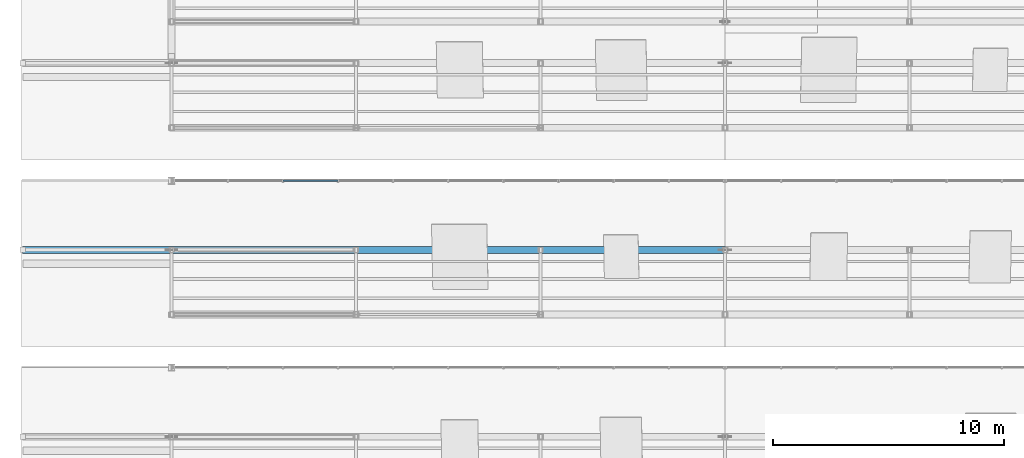
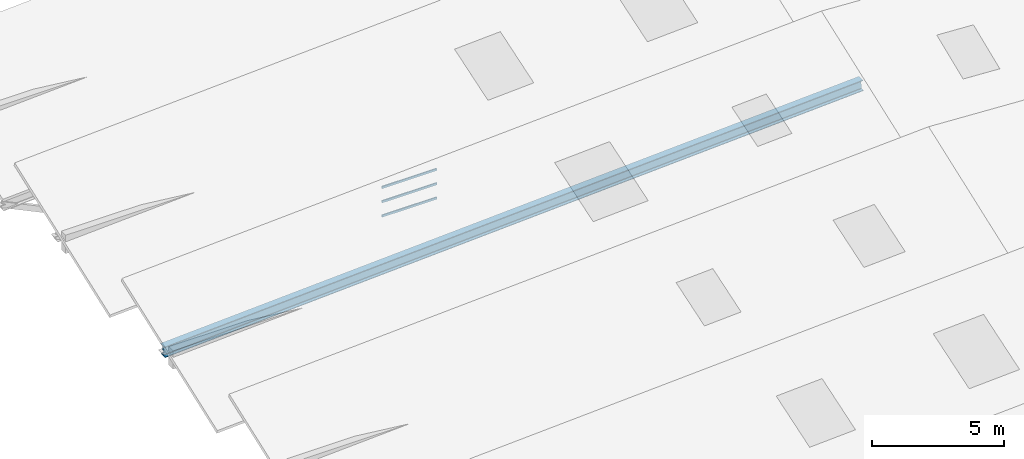
# One storey, part 73 of 141: 4 members, 1 element without a shape of its own.
"""IFC4 building model written with IfcOpenShell, lengths in metres."""

from ifc_helpers import new_model, si_unit, direction, frame, origin, origin_2d, place, context, subcontext, project, spatial, hollow_rectangle, i_section, extrude, material, material_profile, profile_set, type_object, element, aggregate, save


model = new_model("IFC4")

# Units and contexts
model_context = context("Model", 3, precision=1e-05, world=origin(), true_north=direction((0.0, 1.0)))
body_context = subcontext(model_context, "Body", "Model", "MODEL_VIEW")
ifc_project = project(units=[si_unit("LENGTHUNIT", "METRE"), si_unit("AREAUNIT", "SQUARE_METRE"), si_unit("VOLUMEUNIT", "CUBIC_METRE"), si_unit("PLANEANGLEUNIT", "RADIAN"), si_unit("MASSUNIT", "GRAM", prefix="KILO")], contexts=[model_context])

# Site, building, storey
site_placement = place(None, origin())
site = spatial("IfcSite", under=ifc_project, at=site_placement, CompositionType="ELEMENT")
building_placement = place(site_placement, origin())
building = spatial("IfcBuilding", under=site, at=building_placement, Name="Sundkrona Museum", CompositionType="ELEMENT")
storey_placement = place(building_placement, frame((0.0, 0.0, 34.0)))
storey = spatial("IfcBuildingStorey", under=building, at=storey_placement, Name="RF", CompositionType="ELEMENT", Elevation=34.0)

# Member
ifc_material_1 = material(Name="Steel S355J2", Category="steel")
ifc_material_profile_1 = material_profile(ifc_material_1, i_section(OverallWidth=0.300048828125, OverallDepth=0.5, WebThickness=0.014404296875, FlangeThickness=0.028076171875, FilletRadius=0.027099609375, at=origin_2d()), Name="HEB 500")
ifc_profile_set_1 = profile_set([ifc_material_profile_1], Name="Steel S355J2")
member_type_1 = type_object("IfcMemberType", Name="TC-HEB500", PredefinedType="CHORD", material=ifc_profile_set_1)
member_1_placement = place(storey_placement, frame((113.550048828125, 31.60009765625, 3.45849609375), z_axis=(0.998540021616, 0.0, 0.054016897652), x_axis=(0.0, 1.0, 0.0)))
element("IfcMember", 1, at=member_1_placement, inside=storey, type_object=member_type_1, Name="RFS-1 Sawtooth Truss 5 West Sloped Top Chord", PredefinedType="CHORD", context=body_context, shape_type="SweptSolid", body=[
    extrude(i_section(OverallWidth=0.300048828125, OverallDepth=0.5, WebThickness=0.014404296875, FlangeThickness=0.028076171875, FilletRadius=0.027099609375, at=origin_2d()), origin(), (0.0, 0.0, 1.0), 30.494384765625),
])

# Curtain wall, members
ifc_material_2 = material(Name="Unitised Aluminium-Steel and Ceramic-Clad Curtain Walling", Category="steel")
curtain_wall_type = type_object("IfcCurtainWallType", Name="CW-SW-240x13", PredefinedType="NOTDEFINED", material=ifc_material_2)
curtain_wall_placement = place(storey_placement, origin())
curtain_wall = element("IfcCurtainWall", 2, at=curtain_wall_placement, inside=storey, type_object=curtain_wall_type, Name="Sawtooth Bay 5 West North-Light Clerestory", PredefinedType="NOTDEFINED")
ifc_material_3 = material(Name="Aluminium EN AW-6060 T66", Category="aluminium")
ifc_material_profile_2 = material_profile(ifc_material_3, hollow_rectangle(XDim=0.050048828125, YDim=0.10009765625, WallThickness=0.0048828125, at=origin_2d()), Name="RHS 100x50x5.0")
ifc_profile_set_2 = profile_set([ifc_material_profile_2], Name="Aluminium EN AW-6060 T66")
member_type_2 = type_object("IfcMemberType", Name="TR-100", PredefinedType="USERDEFINED", material=ifc_profile_set_2)
member_2_placement = place(storey_placement, frame((124.830078125, 34.60009765625, 3.89306640625), z_axis=(1.0, 0.0, 0.0), x_axis=(0.0, 1.0, 0.0)))
member_2 = element("IfcMember", 3, at=member_2_placement, type_object=member_type_2, Name="CW-RF-SAW-05W Transom 07", ObjectType="TRANSOM", PredefinedType="USERDEFINED", context=body_context, shape_type="SweptSolid", body=[
    extrude(hollow_rectangle(XDim=0.050048828125, YDim=0.10009765625, WallThickness=0.0048828125, at=origin_2d()), origin(), (0.0, 0.0, 1.0), 2.389892578125),
])
member_3_placement = place(storey_placement, frame((124.830078125, 34.60009765625, 4.552978515625), z_axis=(1.0, 0.0, 0.0), x_axis=(0.0, 1.0, 0.0)))
member_3 = element("IfcMember", 4, at=member_3_placement, type_object=member_type_2, Name="CW-RF-SAW-05W Transom 08", ObjectType="TRANSOM", PredefinedType="USERDEFINED", context=body_context, shape_type="SweptSolid", body=[
    extrude(hollow_rectangle(XDim=0.050048828125, YDim=0.10009765625, WallThickness=0.0048828125, at=origin_2d()), origin(), (0.0, 0.0, 1.0), 2.389892578125),
])
member_4_placement = place(storey_placement, frame((124.830078125, 34.60009765625, 5.212890625), z_axis=(1.0, 0.0, 0.0), x_axis=(0.0, 1.0, 0.0)))
member_4 = element("IfcMember", 5, at=member_4_placement, type_object=member_type_2, Name="CW-RF-SAW-05W Transom 09", ObjectType="TRANSOM", PredefinedType="USERDEFINED", context=body_context, shape_type="SweptSolid", body=[
    extrude(hollow_rectangle(XDim=0.050048828125, YDim=0.10009765625, WallThickness=0.0048828125, at=origin_2d()), origin(), (0.0, 0.0, 1.0), 2.389892578125),
])
aggregate(curtain_wall, [member_2, member_3, member_4])

save(model, "model.ifc")
